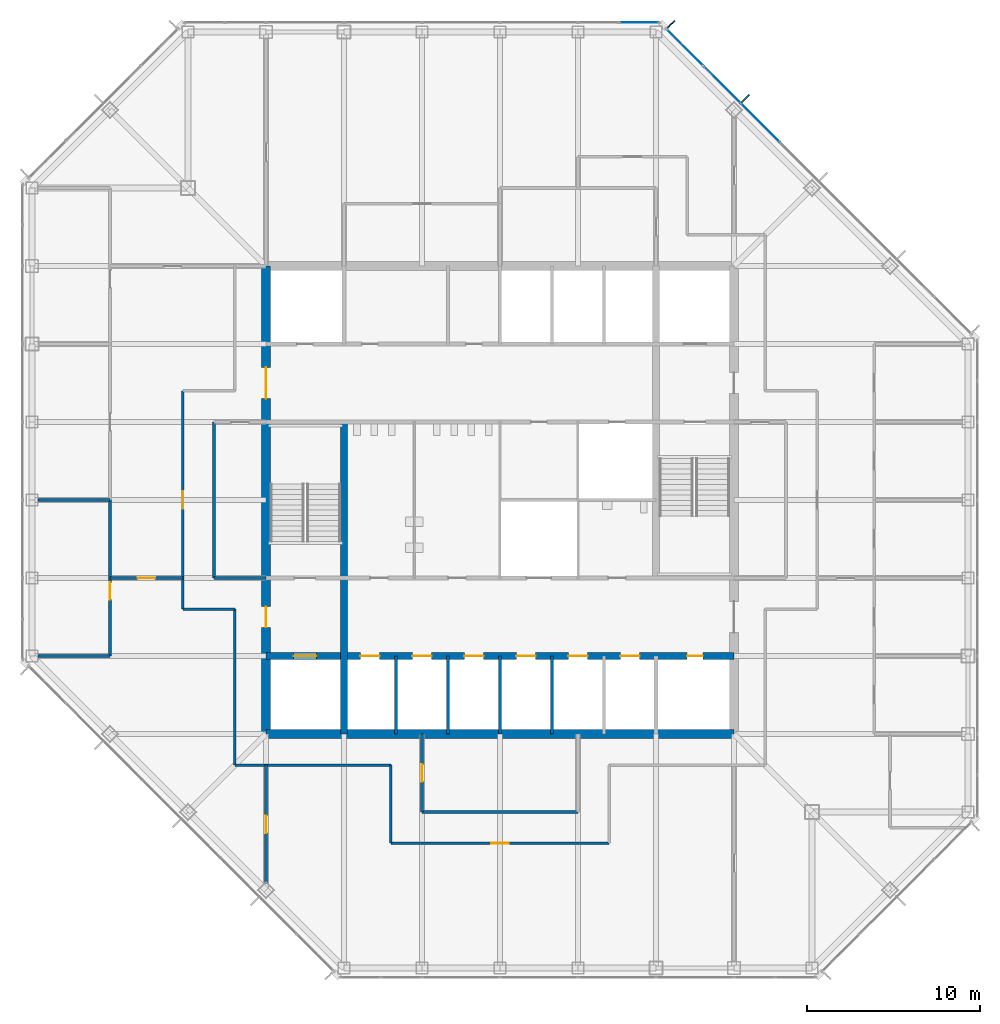
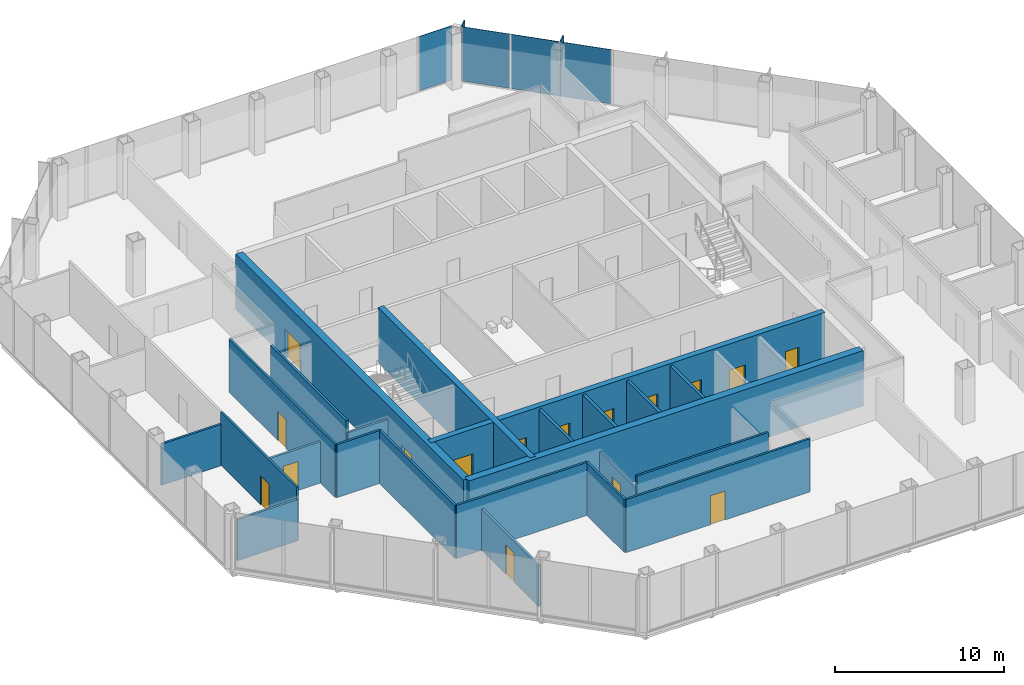
# One storey, part 8 of 13: 23 walls, 16 doors, 6 plates, 16 openings, 2 elements without a shape of their own.
"""IFC4 building model written with IfcOpenShell, lengths in metres."""

from ifc_helpers import new_model, si_unit, direction, frame, frame_2d, origin, origin_2d, place, context, subcontext, project, spatial, rectangle, extrude, material, layer, layer_set, type_object, element, fill, aggregate, save


model = new_model("IFC4")

# Units and contexts
model_context = context("Model", 3, precision=1e-05, world=origin(), true_north=direction((0.0, 1.0)))
body_context = subcontext(model_context, "Body", "Model", "MODEL_VIEW")
ifc_project = project(units=[si_unit("LENGTHUNIT", "METRE"), si_unit("AREAUNIT", "SQUARE_METRE"), si_unit("VOLUMEUNIT", "CUBIC_METRE"), si_unit("PLANEANGLEUNIT", "RADIAN"), si_unit("MASSUNIT", "GRAM", prefix="KILO")], contexts=[model_context])

# Site, building, storey
site_placement = place(None, origin())
site = spatial("IfcSite", under=ifc_project, at=site_placement, CompositionType="ELEMENT")
building_placement = place(site_placement, origin())
building = spatial("IfcBuilding", under=site, at=building_placement, Name="Corais Broadcast Tower", CompositionType="ELEMENT")
storey_placement = place(building_placement, frame((0.0, 0.0, 179.60009765625)))
storey = spatial("IfcBuildingStorey", under=building, at=storey_placement, Name="L41", CompositionType="ELEMENT", Elevation=179.60009765625)

# Curtain wall, plates
ifc_material_1 = material(Name="Aluminium and glass", Category="aluminium")
curtain_wall_type = type_object("IfcCurtainWallType", Name="Unitised fritted curtain wall CW2", PredefinedType="NOTDEFINED", material=ifc_material_1)
curtain_wall_1_placement = place(storey_placement, origin())
curtain_wall_1 = element("IfcCurtainWall", 1, at=curtain_wall_1_placement, inside=storey, type_object=curtain_wall_type, Name="CW2 curtain wall L41 5", PredefinedType="NOTDEFINED")
ifc_material_2 = material(Name="Ceramic-fritted laminated glass", Category="glass")
ifc_layer_1 = layer(ifc_material_2, 0.028076171875)
ifc_layer_set_1 = layer_set([ifc_layer_1], Name="Ceramic-fritted laminated glass")
plate_type_1 = type_object("IfcPlateType", Name="Fritted glass panel CW2", PredefinedType="CURTAIN_PANEL", material=ifc_layer_set_1)
plate_1_placement = place(storey_placement, frame((37.669677734375, 53.108154296875, 0.06494140625), z_axis=(0.0, 0.0, 1.0), x_axis=(0.707106781187, -0.707106781187, 0.0)))
plate_1 = element("IfcPlate", 2, at=plate_1_placement, type_object=plate_type_1, Name="CW2 panel 1", PredefinedType="CURTAIN_PANEL", context=body_context, shape_type="SweptSolid", body=[
    extrude(rectangle(XDim=2.9482421875, YDim=0.028076171875, at=origin_2d()), origin(), (0.0, 0.0, 1.0), 3.93505859375),
])
plate_2_placement = place(storey_placement, frame((42.013916015625, 48.763916015625, 0.06494140625), z_axis=(0.0, 0.0, 1.0), x_axis=(0.707106781187, -0.707106781187, 0.0)))
plate_2 = element("IfcPlate", 3, at=plate_2_placement, type_object=plate_type_1, Name="CW2 panel 3", PredefinedType="CURTAIN_PANEL", context=body_context, shape_type="SweptSolid", body=[
    extrude(rectangle(XDim=3.116943359375, YDim=0.028076171875, at=origin_2d()), origin(), (0.0, 0.0, 1.0), 3.93505859375),
])

# Curtain wall, plate
curtain_wall_2_placement = place(storey_placement, origin())
curtain_wall_2 = element("IfcCurtainWall", 4, at=curtain_wall_2_placement, inside=storey, type_object=curtain_wall_type, Name="CW2 curtain wall L41 4", PredefinedType="NOTDEFINED")
ifc_material_3 = material(Name="Clear laminated glass", Category="glass")
ifc_layer_2 = layer(ifc_material_3, 0.031982421875)
ifc_layer_set_2 = layer_set([ifc_layer_2], Name="Clear laminated glass")
plate_type_2 = type_object("IfcPlateType", Name="Operable glass panel CW2", PredefinedType="CURTAIN_PANEL", material=ifc_layer_set_2)
plate_3_placement = place(storey_placement, frame((35.029541015625, 54.550048828125, 0.06494140625), z_axis=(0.0, 0.0, 1.0), x_axis=(1.0, 0.0, 0.0)))
plate_3 = element("IfcPlate", 5, at=plate_3_placement, type_object=plate_type_2, Name="CW2 operable panel 8", PredefinedType="CURTAIN_PANEL", context=body_context, shape_type="SweptSolid", body=[
    extrude(rectangle(XDim=2.266357421875, YDim=0.031982421875, at=origin_2d()), origin(), (0.0, 0.0, 1.0), 3.93505859375),
])
aggregate(curtain_wall_2, [plate_3])

# Plate
plate_4_placement = place(storey_placement, frame((39.81201171875, 50.9658203125, 0.06494140625), z_axis=(0.0, 0.0, 1.0), x_axis=(0.707106781187, -0.707106781187, 0.0)))
plate_4 = element("IfcPlate", 6, at=plate_4_placement, type_object=plate_type_2, Name="CW2 operable panel 2", PredefinedType="CURTAIN_PANEL", context=body_context, shape_type="SweptSolid", body=[
    extrude(rectangle(XDim=2.98095703125, YDim=0.031982421875, at=origin_2d()), origin(), (0.0, 0.0, 1.0), 3.93505859375),
])

aggregate(curtain_wall_1, [plate_1, plate_4, plate_2])

# Plates
ifc_material_4 = material(Name="Granite stone cladding", Category="masonry")
ifc_layer_3 = layer(ifc_material_4, 0.080078125)
ifc_layer_set_3 = layer_set([ifc_layer_3], Name="Granite stone cladding")
plate_type_3 = type_object("IfcPlateType", Name="Stone screen fin 80x600", PredefinedType="USERDEFINED", material=ifc_layer_set_3)
for number, where, z_axis, x_axis, name in (
    (7, (36.8779296875, 54.447021484375, 0.0), (0.0, 0.0, 1.0), (0.707106781187, -0.707106781187, 0.0), "SF1 stone screen fin L41"),
    (8, (41.16259765625, 50.16259765625, 0.0), (0.0, 0.0, 1.0), (0.707106781187, -0.707106781187, 0.0), "SF1 stone screen fin L41"),
):
    element("IfcPlate", number, at=place(storey_placement, frame(where, z_axis=z_axis, x_axis=x_axis)), inside=storey, type_object=plate_type_3, Name=name, ObjectType="STONE SCREEN FIN", PredefinedType="USERDEFINED", context=body_context, shape_type="SweptSolid", body=[
        extrude(rectangle(XDim=0.080078125, YDim=0.60009765625, at=origin_2d()), origin(), (0.0, 0.0, 1.0), 4.0),
    ])

# Wall
ifc_material_5 = material(Name="Concrete C50/60", Category="concrete")
ifc_layer_4 = layer(ifc_material_5, 0.39990234375)
ifc_layer_set_4 = layer_set([ifc_layer_4], Name="Concrete C50/60")
wall_type_1 = type_object("IfcWallType", Name="Core wall 400", PredefinedType="SHEAR", material=ifc_layer_set_4)
wall_1_placement = place(storey_placement, frame((18.0, 13.5, 0.0), z_axis=(0.0, 0.0, 1.0), x_axis=(0.0, 1.0, 0.0)))
element("IfcWall", 9, at=wall_1_placement, inside=storey, type_object=wall_type_1, Name="CR400 core wall X18A L41", PredefinedType="SHEAR", context=body_context, shape_type="SweptSolid", body=[
    extrude(rectangle(XDim=18.0, YDim=0.39990234375, at=frame_2d((9.0, 0.0))), origin(), (0.0, 0.0, 1.0), 4.0),
])

# Wall, openings, doors
wall_2_placement = place(storey_placement, frame((13.5, 18.0, 0.0), z_axis=(0.0, 0.0, 1.0), x_axis=(1.0, 0.0, 0.0)))
wall_2 = element("IfcWall", 10, at=wall_2_placement, inside=storey, type_object=wall_type_1, Name="CR400 core wall Y18 L41", PredefinedType="SHEAR", context=body_context, shape_type="SweptSolid", body=[
    extrude(rectangle(XDim=27.0, YDim=0.39990234375, at=frame_2d((13.5, 0.0))), origin(), (0.0, 0.0, 1.0), 4.0),
])
opening_1_placement = place(wall_2_placement, frame((24.300048828125, 0.0, 0.0)))
opening_1 = element("IfcOpeningElement", 11, at=opening_1_placement, cuts=wall_2, Name="Opening RD1", PredefinedType="OPENING", context=body_context, shape_type="SweptSolid", body=[
    extrude(rectangle(XDim=0.89990234375, YDim=2.10009765625, at=frame_2d((0.449951171875, 1.050048828125))), frame((0.0, 0.2099609375, 0.0), z_axis=(0.0, -1.0, 0.0), x_axis=(1.0, 0.0, 0.0)), (0.0, 0.0, 1.0), 0.419921875),
])
opening_2_placement = place(wall_2_placement, frame((5.449951171875, 0.0, 0.0)))
opening_2 = element("IfcOpeningElement", 12, at=opening_2_placement, cuts=wall_2, Name="Opening LD1", PredefinedType="OPENING", context=body_context, shape_type="SweptSolid", body=[
    extrude(rectangle(XDim=1.10009765625, YDim=2.10009765625, at=frame_2d((0.550048828125, 1.050048828125))), frame((0.0, 0.2099609375, 0.0), z_axis=(0.0, -1.0, 0.0), x_axis=(1.0, 0.0, 0.0)), (0.0, 0.0, 1.0), 0.419921875),
])
opening_3_placement = place(wall_2_placement, frame((8.449951171875, 0.0, 0.0)))
opening_3 = element("IfcOpeningElement", 13, at=opening_3_placement, cuts=wall_2, Name="Opening LD1", PredefinedType="OPENING", context=body_context, shape_type="SweptSolid", body=[
    extrude(rectangle(XDim=1.10009765625, YDim=2.10009765625, at=frame_2d((0.550048828125, 1.050048828125))), frame((0.0, 0.2099609375, 0.0), z_axis=(0.0, -1.0, 0.0), x_axis=(1.0, 0.0, 0.0)), (0.0, 0.0, 1.0), 0.419921875),
])
opening_4_placement = place(wall_2_placement, frame((11.449951171875, 0.0, 0.0)))
opening_4 = element("IfcOpeningElement", 14, at=opening_4_placement, cuts=wall_2, Name="Opening LD1", PredefinedType="OPENING", context=body_context, shape_type="SweptSolid", body=[
    extrude(rectangle(XDim=1.10009765625, YDim=2.10009765625, at=frame_2d((0.550048828125, 1.050048828125))), frame((0.0, 0.2099609375, 0.0), z_axis=(0.0, -1.0, 0.0), x_axis=(1.0, 0.0, 0.0)), (0.0, 0.0, 1.0), 0.419921875),
])
opening_5_placement = place(wall_2_placement, frame((14.449951171875, 0.0, 0.0)))
opening_5 = element("IfcOpeningElement", 15, at=opening_5_placement, cuts=wall_2, Name="Opening LD1", PredefinedType="OPENING", context=body_context, shape_type="SweptSolid", body=[
    extrude(rectangle(XDim=1.10009765625, YDim=2.10009765625, at=frame_2d((0.550048828125, 1.050048828125))), frame((0.0, 0.2099609375, 0.0), z_axis=(0.0, -1.0, 0.0), x_axis=(1.0, 0.0, 0.0)), (0.0, 0.0, 1.0), 0.419921875),
])
opening_6_placement = place(wall_2_placement, frame((17.449951171875, 0.0, 0.0)))
opening_6 = element("IfcOpeningElement", 16, at=opening_6_placement, cuts=wall_2, Name="Opening LD1", PredefinedType="OPENING", context=body_context, shape_type="SweptSolid", body=[
    extrude(rectangle(XDim=1.10009765625, YDim=2.10009765625, at=frame_2d((0.550048828125, 1.050048828125))), frame((0.0, 0.2099609375, 0.0), z_axis=(0.0, -1.0, 0.0), x_axis=(1.0, 0.0, 0.0)), (0.0, 0.0, 1.0), 0.419921875),
])
opening_7_placement = place(wall_2_placement, frame((20.449951171875, 0.0, 0.0)))
opening_7 = element("IfcOpeningElement", 17, at=opening_7_placement, cuts=wall_2, Name="Opening LD1", PredefinedType="OPENING", context=body_context, shape_type="SweptSolid", body=[
    extrude(rectangle(XDim=1.10009765625, YDim=2.10009765625, at=frame_2d((0.550048828125, 1.050048828125))), frame((0.0, 0.2099609375, 0.0), z_axis=(0.0, -1.0, 0.0), x_axis=(1.0, 0.0, 0.0)), (0.0, 0.0, 1.0), 0.419921875),
])
opening_8_placement = place(wall_2_placement, frame((1.60009765625, 0.0, 0.0)))
opening_8 = element("IfcOpeningElement", 18, at=opening_8_placement, cuts=wall_2, Name="Opening LD2", PredefinedType="OPENING", context=body_context, shape_type="SweptSolid", body=[
    extrude(rectangle(XDim=1.300048828125, YDim=2.199951171875, at=frame_2d((0.64990234375, 1.10009765625))), frame((0.0, 0.2099609375, 0.0), z_axis=(0.0, -1.0, 0.0), x_axis=(1.0, 0.0, 0.0)), (0.0, 0.0, 1.0), 0.419921875),
])
ifc_material_6 = material(Name="Stainless steel lift door", Category="steel")
door_type_1 = type_object("IfcDoorType", Name="Lift landing door 1100x2100", OperationType="SLIDING_TO_LEFT", PredefinedType="DOOR", material=ifc_material_6)
door_1_placement = place(opening_2_placement, origin())
door_1 = element("IfcDoor", 19, at=door_1_placement, inside=storey, type_object=door_type_1, Name="LD1 PM1 landing door L41", OperationType="SLIDING_TO_LEFT", OverallHeight=2.10009765625, OverallWidth=1.10009765625, PredefinedType="DOOR", context=body_context, shape_type="SweptSolid", body=[
    extrude(rectangle(XDim=1.10009765625, YDim=2.10009765625, at=frame_2d((0.550048828125, 1.050048828125))), frame((0.0, 0.02490234375, 0.0), z_axis=(0.0, -1.0, 0.0), x_axis=(1.0, 0.0, 0.0)), (0.0, 0.0, 1.0), 0.050048828125),
])
fill(opening_2, door_1)
door_2_placement = place(opening_3_placement, origin())
door_2 = element("IfcDoor", 20, at=door_2_placement, inside=storey, type_object=door_type_1, Name="LD1 PM2 landing door L41", OperationType="SLIDING_TO_LEFT", OverallHeight=2.10009765625, OverallWidth=1.10009765625, PredefinedType="DOOR", context=body_context, shape_type="SweptSolid", body=[
    extrude(rectangle(XDim=1.10009765625, YDim=2.10009765625, at=frame_2d((0.550048828125, 1.050048828125))), frame((0.0, 0.02490234375, 0.0), z_axis=(0.0, -1.0, 0.0), x_axis=(1.0, 0.0, 0.0)), (0.0, 0.0, 1.0), 0.050048828125),
])
fill(opening_3, door_2)
door_3_placement = place(opening_4_placement, origin())
door_3 = element("IfcDoor", 21, at=door_3_placement, inside=storey, type_object=door_type_1, Name="LD1 PM3 landing door L41", OperationType="SLIDING_TO_LEFT", OverallHeight=2.10009765625, OverallWidth=1.10009765625, PredefinedType="DOOR", context=body_context, shape_type="SweptSolid", body=[
    extrude(rectangle(XDim=1.10009765625, YDim=2.10009765625, at=frame_2d((0.550048828125, 1.050048828125))), frame((0.0, 0.02490234375, 0.0), z_axis=(0.0, -1.0, 0.0), x_axis=(1.0, 0.0, 0.0)), (0.0, 0.0, 1.0), 0.050048828125),
])
fill(opening_4, door_3)
door_4_placement = place(opening_5_placement, origin())
door_4 = element("IfcDoor", 22, at=door_4_placement, inside=storey, type_object=door_type_1, Name="LD1 PM4 landing door L41", OperationType="SLIDING_TO_LEFT", OverallHeight=2.10009765625, OverallWidth=1.10009765625, PredefinedType="DOOR", context=body_context, shape_type="SweptSolid", body=[
    extrude(rectangle(XDim=1.10009765625, YDim=2.10009765625, at=frame_2d((0.550048828125, 1.050048828125))), frame((0.0, 0.02490234375, 0.0), z_axis=(0.0, -1.0, 0.0), x_axis=(1.0, 0.0, 0.0)), (0.0, 0.0, 1.0), 0.050048828125),
])
fill(opening_5, door_4)
door_5_placement = place(opening_6_placement, origin())
door_5 = element("IfcDoor", 23, at=door_5_placement, inside=storey, type_object=door_type_1, Name="LD1 PM5 landing door L41", OperationType="SLIDING_TO_LEFT", OverallHeight=2.10009765625, OverallWidth=1.10009765625, PredefinedType="DOOR", context=body_context, shape_type="SweptSolid", body=[
    extrude(rectangle(XDim=1.10009765625, YDim=2.10009765625, at=frame_2d((0.550048828125, 1.050048828125))), frame((0.0, 0.02490234375, 0.0), z_axis=(0.0, -1.0, 0.0), x_axis=(1.0, 0.0, 0.0)), (0.0, 0.0, 1.0), 0.050048828125),
])
fill(opening_6, door_5)
door_6_placement = place(opening_7_placement, origin())
door_6 = element("IfcDoor", 24, at=door_6_placement, inside=storey, type_object=door_type_1, Name="LD1 PM6 landing door L41", OperationType="SLIDING_TO_LEFT", OverallHeight=2.10009765625, OverallWidth=1.10009765625, PredefinedType="DOOR", context=body_context, shape_type="SweptSolid", body=[
    extrude(rectangle(XDim=1.10009765625, YDim=2.10009765625, at=frame_2d((0.550048828125, 1.050048828125))), frame((0.0, 0.02490234375, 0.0), z_axis=(0.0, -1.0, 0.0), x_axis=(1.0, 0.0, 0.0)), (0.0, 0.0, 1.0), 0.050048828125),
])
fill(opening_7, door_6)
ifc_material_7 = material(Name="Stainless steel lift door", Category="steel")
door_type_2 = type_object("IfcDoorType", Name="Lift landing door 1300x2200", OperationType="SLIDING_TO_LEFT", PredefinedType="DOOR", material=ifc_material_7)
door_7_placement = place(opening_8_placement, origin())
door_7 = element("IfcDoor", 25, at=door_7_placement, inside=storey, type_object=door_type_2, Name="LD2 FL1 landing door L41", OperationType="SLIDING_TO_LEFT", OverallHeight=2.199951171875, OverallWidth=1.300048828125, PredefinedType="DOOR", context=body_context, shape_type="SweptSolid", body=[
    extrude(rectangle(XDim=1.300048828125, YDim=2.199951171875, at=frame_2d((0.64990234375, 1.10009765625))), frame((0.0, 0.02490234375, 0.0), z_axis=(0.0, -1.0, 0.0), x_axis=(1.0, 0.0, 0.0)), (0.0, 0.0, 1.0), 0.050048828125),
])
fill(opening_8, door_7)
ifc_material_8 = material(Name="Steel fire door", Category="steel")
door_type_3 = type_object("IfcDoorType", Name="Riser door 900x2100", OperationType="SINGLE_SWING_LEFT", PredefinedType="DOOR", material=ifc_material_8)
door_8_placement = place(opening_1_placement, origin())
door_8 = element("IfcDoor", 26, at=door_8_placement, inside=storey, type_object=door_type_3, Name="RD1 riser door L41", OperationType="SINGLE_SWING_RIGHT", OverallHeight=2.10009765625, OverallWidth=0.89990234375, PredefinedType="DOOR", context=body_context, shape_type="SweptSolid", body=[
    extrude(rectangle(XDim=0.89990234375, YDim=2.10009765625, at=frame_2d((0.449951171875, 1.050048828125))), frame((0.0, 0.02490234375, 0.0), z_axis=(0.0, -1.0, 0.0), x_axis=(1.0, 0.0, 0.0)), (0.0, 0.0, 1.0), 0.050048828125),
])
fill(opening_1, door_8)

# Wall
ifc_material_9 = material(Name="Concrete C50/60", Category="concrete")
ifc_layer_5 = layer(ifc_material_9, 0.5)
ifc_layer_set_5 = layer_set([ifc_layer_5], Name="Concrete C50/60")
wall_type_2 = type_object("IfcWallType", Name="Core wall 500", PredefinedType="SHEAR", material=ifc_layer_set_5)
wall_3_placement = place(storey_placement, frame((13.5, 13.5, 0.0), z_axis=(0.0, 0.0, 1.0), x_axis=(1.0, 0.0, 0.0)))
element("IfcWall", 27, at=wall_3_placement, inside=storey, type_object=wall_type_2, Name="CR500 core wall S L41", PredefinedType="SHEAR", context=body_context, shape_type="SweptSolid", body=[
    extrude(rectangle(XDim=27.0, YDim=0.5, at=frame_2d((13.5, 0.0))), origin(), (0.0, 0.0, 1.0), 4.0),
])

# Wall, openings, doors
wall_4_placement = place(storey_placement, frame((13.5, 40.5, 0.0), z_axis=(0.0, 0.0, 1.0), x_axis=(0.0, -1.0, 0.0)))
wall_4 = element("IfcWall", 28, at=wall_4_placement, inside=storey, type_object=wall_type_2, Name="CR500 core wall W L41", PredefinedType="SHEAR", context=body_context, shape_type="SweptSolid", body=[
    extrude(rectangle(XDim=27.0, YDim=0.5, at=frame_2d((13.5, 0.0))), origin(), (0.0, 0.0, 1.0), 4.0),
])
opening_9_placement = place(wall_4_placement, frame((19.64990234375, 0.0, 0.0)))
opening_9 = element("IfcOpeningElement", 29, at=opening_9_placement, cuts=wall_4, Name="Opening FD1", PredefinedType="OPENING", context=body_context, shape_type="SweptSolid", body=[
    extrude(rectangle(XDim=1.199951171875, YDim=2.10009765625, at=frame_2d((0.60009765625, 1.050048828125))), frame((0.0, 0.260009765625, 0.0), z_axis=(0.0, -1.0, 0.0), x_axis=(1.0, 0.0, 0.0)), (0.0, 0.0, 1.0), 0.52001953125),
])
opening_10_placement = place(wall_4_placement, frame((5.85009765625, 0.0, 0.0)))
opening_10 = element("IfcOpeningElement", 30, at=opening_10_placement, cuts=wall_4, Name="Opening FD2", PredefinedType="OPENING", context=body_context, shape_type="SweptSolid", body=[
    extrude(rectangle(XDim=1.800048828125, YDim=2.10009765625, at=frame_2d((0.89990234375, 1.050048828125))), frame((0.0, 0.260009765625, 0.0), z_axis=(0.0, -1.0, 0.0), x_axis=(1.0, 0.0, 0.0)), (0.0, 0.0, 1.0), 0.52001953125),
])
ifc_material_10 = material(Name="Steel fire door", Category="steel")
door_type_4 = type_object("IfcDoorType", Name="Fire door 1200x2100", OperationType="SINGLE_SWING_LEFT", PredefinedType="DOOR", material=ifc_material_10)
door_9_placement = place(opening_9_placement, origin())
door_9 = element("IfcDoor", 31, at=door_9_placement, inside=storey, type_object=door_type_4, Name="FD1 fire lobby A door L41", OperationType="SINGLE_SWING_RIGHT", OverallHeight=2.10009765625, OverallWidth=1.199951171875, PredefinedType="DOOR", context=body_context, shape_type="SweptSolid", body=[
    extrude(rectangle(XDim=1.199951171875, YDim=2.10009765625, at=frame_2d((0.60009765625, 1.050048828125))), frame((0.0, 0.02490234375, 0.0), z_axis=(0.0, -1.0, 0.0), x_axis=(1.0, 0.0, 0.0)), (0.0, 0.0, 1.0), 0.050048828125),
])
fill(opening_9, door_9)
ifc_material_11 = material(Name="Steel fire door", Category="steel")
door_type_5 = type_object("IfcDoorType", Name="Fire door pair 1800x2100", OperationType="DOUBLE_DOOR_SINGLE_SWING", PredefinedType="DOOR", material=ifc_material_11)
door_10_placement = place(opening_10_placement, origin())
door_10 = element("IfcDoor", 32, at=door_10_placement, inside=storey, type_object=door_type_5, Name="FD2 lift lobby door L41", OperationType="SINGLE_SWING_LEFT", OverallHeight=2.10009765625, OverallWidth=1.800048828125, PredefinedType="DOOR", context=body_context, shape_type="SweptSolid", body=[
    extrude(rectangle(XDim=1.800048828125, YDim=2.10009765625, at=frame_2d((0.89990234375, 1.050048828125))), frame((0.0, 0.02490234375, 0.0), z_axis=(0.0, -1.0, 0.0), x_axis=(1.0, 0.0, 0.0)), (0.0, 0.0, 1.0), 0.050048828125),
])
fill(opening_10, door_10)

# Wall, opening, door
ifc_material_12 = material(Name="Gypsum board on steel studs", Category="steel")
ifc_layer_6 = layer(ifc_material_12, 0.14990234375)
ifc_layer_set_6 = layer_set([ifc_layer_6], Name="Gypsum board on steel studs")
wall_type_3 = type_object("IfcWallType", Name="Partition 150", PredefinedType="PARTITIONING", material=ifc_layer_set_6)
wall_5_placement = place(storey_placement, frame((8.699951171875, 33.300048828125, 0.0), z_axis=(0.0, 0.0, 1.0), x_axis=(0.0, -1.0, 0.0)))
wall_5 = element("IfcWall", 33, at=wall_5_placement, inside=storey, type_object=wall_type_3, Name="IW3 corridor wall L41", PredefinedType="PARTITIONING", context=body_context, shape_type="SweptSolid", body=[
    extrude(rectangle(XDim=12.60009765625, YDim=0.14990234375, at=frame_2d((6.300048828125, 0.0))), origin(), (0.0, 0.0, 1.0), 3.83984375),
])
opening_11_placement = place(wall_5_placement, frame((5.800048828125, 0.0, 0.0)))
opening_11 = element("IfcOpeningElement", 34, at=opening_11_placement, cuts=wall_5, Name="Opening D1", PredefinedType="OPENING", context=body_context, shape_type="SweptSolid", body=[
    extrude(rectangle(XDim=1.0, YDim=2.10009765625, at=frame_2d((0.5, 1.050048828125))), frame((0.0, 0.0849609375, 0.0), z_axis=(0.0, -1.0, 0.0), x_axis=(1.0, 0.0, 0.0)), (0.0, 0.0, 1.0), 0.169921875),
])
ifc_material_13 = material(Name="Timber door", Category="wood")
door_type_6 = type_object("IfcDoorType", Name="Single door 1000x2100", OperationType="SINGLE_SWING_LEFT", PredefinedType="DOOR", material=ifc_material_13)
door_11_placement = place(opening_11_placement, origin())
door_11 = element("IfcDoor", 35, at=door_11_placement, inside=storey, type_object=door_type_6, Name="D1 workplace door L41", OperationType="SINGLE_SWING_LEFT", OverallHeight=2.10009765625, OverallWidth=1.0, PredefinedType="DOOR", context=body_context, shape_type="SweptSolid", body=[
    extrude(rectangle(XDim=1.0, YDim=2.10009765625, at=frame_2d((0.5, 1.050048828125))), frame((0.0, 0.02490234375, 0.0), z_axis=(0.0, -1.0, 0.0), x_axis=(1.0, 0.0, 0.0)), (0.0, 0.0, 1.0), 0.050048828125),
])
fill(opening_11, door_11)

wall_6_placement = place(storey_placement, frame((20.699951171875, 7.199951171875, 0.0), z_axis=(0.0, 0.0, 1.0), x_axis=(1.0, 0.0, 0.0)))
wall_6 = element("IfcWall", 36, at=wall_6_placement, inside=storey, type_object=wall_type_3, Name="IW3 corridor wall L41", PredefinedType="PARTITIONING", context=body_context, shape_type="SweptSolid", body=[
    extrude(rectangle(XDim=12.60009765625, YDim=0.14990234375, at=frame_2d((6.300048828125, 0.0))), origin(), (0.0, 0.0, 1.0), 3.83984375),
])
opening_12_placement = place(wall_6_placement, frame((5.800048828125, 0.0, 0.0)))
opening_12 = element("IfcOpeningElement", 37, at=opening_12_placement, cuts=wall_6, Name="Opening D1", PredefinedType="OPENING", context=body_context, shape_type="SweptSolid", body=[
    extrude(rectangle(XDim=1.0, YDim=2.10009765625, at=frame_2d((0.5, 1.050048828125))), frame((0.0, 0.0849609375, 0.0), z_axis=(0.0, -1.0, 0.0), x_axis=(1.0, 0.0, 0.0)), (0.0, 0.0, 1.0), 0.169921875),
])
door_12_placement = place(opening_12_placement, origin())
door_12 = element("IfcDoor", 38, at=door_12_placement, inside=storey, type_object=door_type_6, Name="D1 workplace door L41", OperationType="SINGLE_SWING_LEFT", OverallHeight=2.10009765625, OverallWidth=1.0, PredefinedType="DOOR", context=body_context, shape_type="SweptSolid", body=[
    extrude(rectangle(XDim=1.0, YDim=2.10009765625, at=frame_2d((0.5, 1.050048828125))), frame((0.0, 0.02490234375, 0.0), z_axis=(0.0, -1.0, 0.0), x_axis=(1.0, 0.0, 0.0)), (0.0, 0.0, 1.0), 0.050048828125),
])
fill(opening_12, door_12)

# Walls
for number, where, z_axis, x_axis, name in (
    (39, (11.699951171875, 11.699951171875, 0.0), (0.0, 0.0, 1.0), (1.0, 0.0, 0.0), "IW3 corridor wall L41"),
    (40, (11.699951171875, 20.699951171875, 0.0), (0.0, 0.0, 1.0), (0.0, -1.0, 0.0), "IW3 corridor wall L41"),
):
    element("IfcWall", number, at=place(storey_placement, frame(where, z_axis=z_axis, x_axis=x_axis)), inside=storey, type_object=wall_type_3, Name=name, PredefinedType="PARTITIONING", context=body_context, shape_type="SweptSolid", body=[
        extrude(rectangle(XDim=9.0, YDim=0.14990234375, at=frame_2d((4.5, 0.0))), origin(), (0.0, 0.0, 1.0), 3.83984375),
    ])
wall_7_placement = place(storey_placement, frame((20.699951171875, 11.699951171875, 0.0), z_axis=(0.0, 0.0, 1.0), x_axis=(0.0, -1.0, 0.0)))
element("IfcWall", 41, at=wall_7_placement, inside=storey, type_object=wall_type_3, Name="IW3 corridor wall L41", PredefinedType="PARTITIONING", context=body_context, shape_type="SweptSolid", body=[
    extrude(rectangle(XDim=4.5, YDim=0.14990234375, at=frame_2d((2.25, 0.0))), origin(), (0.0, 0.0, 1.0), 3.83984375),
])
wall_8_placement = place(storey_placement, frame((8.699951171875, 20.699951171875, 0.0), z_axis=(0.0, 0.0, 1.0), x_axis=(1.0, 0.0, 0.0)))
element("IfcWall", 42, at=wall_8_placement, inside=storey, type_object=wall_type_3, Name="IW3 corridor wall L41", PredefinedType="PARTITIONING", context=body_context, shape_type="SweptSolid", body=[
    extrude(rectangle(XDim=3.0, YDim=0.14990234375, at=frame_2d((1.5, 0.0))), origin(), (0.0, 0.0, 1.0), 3.83984375),
])
wall_9_placement = place(storey_placement, frame((0.360107421875, 18.0, 0.0), z_axis=(0.0, 0.0, 1.0), x_axis=(1.0, 0.0, 0.0)))
element("IfcWall", 43, at=wall_9_placement, inside=storey, type_object=wall_type_3, Name="IW3 partition L41", PredefinedType="PARTITIONING", context=body_context, shape_type="SweptSolid", body=[
    extrude(rectangle(XDim=4.139892578125, YDim=0.14990234375, at=frame_2d((2.06982421875, 0.0))), origin(), (0.0, 0.0, 1.0), 2.989013671875),
])

# Wall, opening, door
wall_10_placement = place(storey_placement, frame((4.5, 18.0, 0.0), z_axis=(0.0, 0.0, 1.0), x_axis=(0.0, 1.0, 0.0)))
wall_10 = element("IfcWall", 44, at=wall_10_placement, inside=storey, type_object=wall_type_3, Name="IW3 partition L41", PredefinedType="PARTITIONING", context=body_context, shape_type="SweptSolid", body=[
    extrude(rectangle(XDim=9.0, YDim=0.14990234375, at=frame_2d((4.5, 0.0))), origin(), (0.0, 0.0, 1.0), 3.83984375),
])
opening_13_placement = place(wall_10_placement, frame((3.25, 0.0, 0.0)))
opening_13 = element("IfcOpeningElement", 45, at=opening_13_placement, cuts=wall_10, Name="Opening D1", PredefinedType="OPENING", context=body_context, shape_type="SweptSolid", body=[
    extrude(rectangle(XDim=1.0, YDim=2.10009765625, at=frame_2d((0.5, 1.050048828125))), frame((0.0, 0.0849609375, 0.0), z_axis=(0.0, -1.0, 0.0), x_axis=(1.0, 0.0, 0.0)), (0.0, 0.0, 1.0), 0.169921875),
])
door_13_placement = place(opening_13_placement, origin())
door_13 = element("IfcDoor", 46, at=door_13_placement, inside=storey, type_object=door_type_6, Name="D1 Office door", OperationType="SINGLE_SWING_LEFT", OverallHeight=2.10009765625, OverallWidth=1.0, PredefinedType="DOOR", context=body_context, shape_type="SweptSolid", body=[
    extrude(rectangle(XDim=1.0, YDim=2.10009765625, at=frame_2d((0.5, 1.050048828125))), frame((0.0, 0.02490234375, 0.0), z_axis=(0.0, -1.0, 0.0), x_axis=(1.0, 0.0, 0.0)), (0.0, 0.0, 1.0), 0.050048828125),
])
fill(opening_13, door_13)

# Walls
wall_11_placement = place(storey_placement, frame((4.5, 27.0, 0.0), z_axis=(0.0, 0.0, 1.0), x_axis=(-1.0, 0.0, 0.0)))
element("IfcWall", 47, at=wall_11_placement, inside=storey, type_object=wall_type_3, Name="IW3 partition L41", PredefinedType="PARTITIONING", context=body_context, shape_type="SweptSolid", body=[
    extrude(rectangle(XDim=4.139892578125, YDim=0.14990234375, at=frame_2d((2.06982421875, 0.0))), origin(), (0.0, 0.0, 1.0), 2.989013671875),
])
wall_12_placement = place(storey_placement, frame((22.5, 9.0, 0.0), z_axis=(0.0, 0.0, 1.0), x_axis=(1.0, 0.0, 0.0)))
element("IfcWall", 48, at=wall_12_placement, inside=storey, type_object=wall_type_3, Name="IW3 partition L41", PredefinedType="PARTITIONING", context=body_context, shape_type="SweptSolid", body=[
    extrude(rectangle(XDim=9.0, YDim=0.14990234375, at=frame_2d((4.5, 0.0))), origin(), (0.0, 0.0, 1.0), 3.83984375),
])

# Wall, opening, door
wall_13_placement = place(storey_placement, frame((22.5, 13.5, 0.0), z_axis=(0.0, 0.0, 1.0), x_axis=(0.0, -1.0, 0.0)))
wall_13 = element("IfcWall", 49, at=wall_13_placement, inside=storey, type_object=wall_type_3, Name="IW3 partition L41", PredefinedType="PARTITIONING", context=body_context, shape_type="SweptSolid", body=[
    extrude(rectangle(XDim=4.5, YDim=0.14990234375, at=frame_2d((2.25, 0.0))), origin(), (0.0, 0.0, 1.0), 2.989013671875),
])
opening_14_placement = place(wall_13_placement, frame((1.75, 0.0, 0.0)))
opening_14 = element("IfcOpeningElement", 50, at=opening_14_placement, cuts=wall_13, Name="Opening D1", PredefinedType="OPENING", context=body_context, shape_type="SweptSolid", body=[
    extrude(rectangle(XDim=1.0, YDim=2.10009765625, at=frame_2d((0.5, 1.050048828125))), frame((0.0, 0.0849609375, 0.0), z_axis=(0.0, -1.0, 0.0), x_axis=(1.0, 0.0, 0.0)), (0.0, 0.0, 1.0), 0.169921875),
])
door_14_placement = place(opening_14_placement, origin())
door_14 = element("IfcDoor", 51, at=door_14_placement, inside=storey, type_object=door_type_6, Name="D1 Meeting room door", OperationType="SINGLE_SWING_LEFT", OverallHeight=2.10009765625, OverallWidth=1.0, PredefinedType="DOOR", context=body_context, shape_type="SweptSolid", body=[
    extrude(rectangle(XDim=1.0, YDim=2.10009765625, at=frame_2d((0.5, 1.050048828125))), frame((0.0, 0.02490234375, 0.0), z_axis=(0.0, -1.0, 0.0), x_axis=(1.0, 0.0, 0.0)), (0.0, 0.0, 1.0), 0.050048828125),
])
fill(opening_14, door_14)

# Walls
wall_14_placement = place(storey_placement, frame((10.5, 22.5, 0.0), z_axis=(0.0, 0.0, 1.0), x_axis=(1.0, 0.0, 0.0)))
element("IfcWall", 52, at=wall_14_placement, inside=storey, type_object=wall_type_3, Name="IW3 partition L41", PredefinedType="PARTITIONING", context=body_context, shape_type="SweptSolid", body=[
    extrude(rectangle(XDim=3.0, YDim=0.14990234375, at=frame_2d((1.5, 0.0))), origin(), (0.0, 0.0, 1.0), 2.989013671875),
])
wall_15_placement = place(storey_placement, frame((10.5, 31.5, 0.0), z_axis=(0.0, 0.0, 1.0), x_axis=(0.0, -1.0, 0.0)))
element("IfcWall", 53, at=wall_15_placement, inside=storey, type_object=wall_type_3, Name="IW3 partition L41", PredefinedType="PARTITIONING", context=body_context, shape_type="SweptSolid", body=[
    extrude(rectangle(XDim=9.0, YDim=0.14990234375, at=frame_2d((4.5, 0.0))), origin(), (0.0, 0.0, 1.0), 3.83984375),
])

# Wall, opening, door
wall_16_placement = place(storey_placement, frame((13.5, 4.8701171875, 0.0), z_axis=(0.0, 0.0, 1.0), x_axis=(0.0, 1.0, 0.0)))
wall_16 = element("IfcWall", 54, at=wall_16_placement, inside=storey, type_object=wall_type_3, Name="IW3 partition L41", PredefinedType="PARTITIONING", context=body_context, shape_type="SweptSolid", body=[
    extrude(rectangle(XDim=6.829833984375, YDim=0.14990234375, at=frame_2d((3.4150390625, 0.0))), origin(), (0.0, 0.0, 1.0), 2.989013671875),
])
opening_15_placement = place(wall_16_placement, frame((2.9150390625, 0.0, 0.0)))
opening_15 = element("IfcOpeningElement", 55, at=opening_15_placement, cuts=wall_16, Name="Opening D1", PredefinedType="OPENING", context=body_context, shape_type="SweptSolid", body=[
    extrude(rectangle(XDim=1.0, YDim=2.10009765625, at=frame_2d((0.5, 1.050048828125))), frame((0.0, 0.0849609375, 0.0), z_axis=(0.0, -1.0, 0.0), x_axis=(1.0, 0.0, 0.0)), (0.0, 0.0, 1.0), 0.169921875),
])
door_15_placement = place(opening_15_placement, origin())
door_15 = element("IfcDoor", 56, at=door_15_placement, inside=storey, type_object=door_type_6, Name="D1 team room door L41", OperationType="SINGLE_SWING_LEFT", OverallHeight=2.10009765625, OverallWidth=1.0, PredefinedType="DOOR", context=body_context, shape_type="SweptSolid", body=[
    extrude(rectangle(XDim=1.0, YDim=2.10009765625, at=frame_2d((0.5, 1.050048828125))), frame((0.0, 0.02490234375, 0.0), z_axis=(0.0, -1.0, 0.0), x_axis=(1.0, 0.0, 0.0)), (0.0, 0.0, 1.0), 0.050048828125),
])
fill(opening_15, door_15)

wall_17_placement = place(storey_placement, frame((8.699951171875, 22.5, 0.0), z_axis=(0.0, 0.0, 1.0), x_axis=(-1.0, 0.0, 0.0)))
wall_17 = element("IfcWall", 57, at=wall_17_placement, inside=storey, type_object=wall_type_3, Name="IW3 partition L41", PredefinedType="PARTITIONING", context=body_context, shape_type="SweptSolid", body=[
    extrude(rectangle(XDim=4.199951171875, YDim=0.14990234375, at=frame_2d((2.10009765625, 0.0))), origin(), (0.0, 0.0, 1.0), 2.989013671875),
])
opening_16_placement = place(wall_17_placement, frame((1.60009765625, 0.0, 0.0)))
opening_16 = element("IfcOpeningElement", 58, at=opening_16_placement, cuts=wall_17, Name="Opening D1", PredefinedType="OPENING", context=body_context, shape_type="SweptSolid", body=[
    extrude(rectangle(XDim=1.0, YDim=2.10009765625, at=frame_2d((0.5, 1.050048828125))), frame((0.0, 0.0849609375, 0.0), z_axis=(0.0, -1.0, 0.0), x_axis=(1.0, 0.0, 0.0)), (0.0, 0.0, 1.0), 0.169921875),
])
door_16_placement = place(opening_16_placement, origin())
door_16 = element("IfcDoor", 59, at=door_16_placement, inside=storey, type_object=door_type_6, Name="D1 team room door L41", OperationType="SINGLE_SWING_LEFT", OverallHeight=2.10009765625, OverallWidth=1.0, PredefinedType="DOOR", context=body_context, shape_type="SweptSolid", body=[
    extrude(rectangle(XDim=1.0, YDim=2.10009765625, at=frame_2d((0.5, 1.050048828125))), frame((0.0, 0.02490234375, 0.0), z_axis=(0.0, -1.0, 0.0), x_axis=(1.0, 0.0, 0.0)), (0.0, 0.0, 1.0), 0.050048828125),
])
fill(opening_16, door_16)

# Walls
ifc_material_14 = material(Name="Concrete blockwork class A, grouted, two-hour", Category="masonry")
ifc_layer_7 = layer(ifc_material_14, 0.199951171875)
ifc_layer_set_7 = layer_set([ifc_layer_7], Name="Concrete blockwork class A, grouted, two-hour")
wall_type_4 = type_object("IfcWallType", Name="Shaft wall 200", PredefinedType="PARTITIONING", material=ifc_layer_set_7)
for number, where, z_axis, x_axis, name in (
    (60, (21.0, 13.5, 0.0), (0.0, 0.0, 1.0), (0.0, 1.0, 0.0), "IW1 shaft wall L41"),
    (61, (24.0, 13.5, 0.0), (0.0, 0.0, 1.0), (0.0, 1.0, 0.0), "IW1 shaft wall L41"),
    (62, (27.0, 13.5, 0.0), (0.0, 0.0, 1.0), (0.0, 1.0, 0.0), "IW1 shaft wall L41"),
    (63, (30.0, 13.5, 0.0), (0.0, 0.0, 1.0), (0.0, 1.0, 0.0), "IW1 shaft wall L41"),
):
    element("IfcWall", number, at=place(storey_placement, frame(where, z_axis=z_axis, x_axis=x_axis)), inside=storey, type_object=wall_type_4, Name=name, PredefinedType="PARTITIONING", context=body_context, shape_type="SweptSolid", body=[
        extrude(rectangle(XDim=4.5, YDim=0.199951171875, at=frame_2d((2.25, 0.0))), origin(), (0.0, 0.0, 1.0), 3.83984375),
    ])

save(model, "model.ifc")
